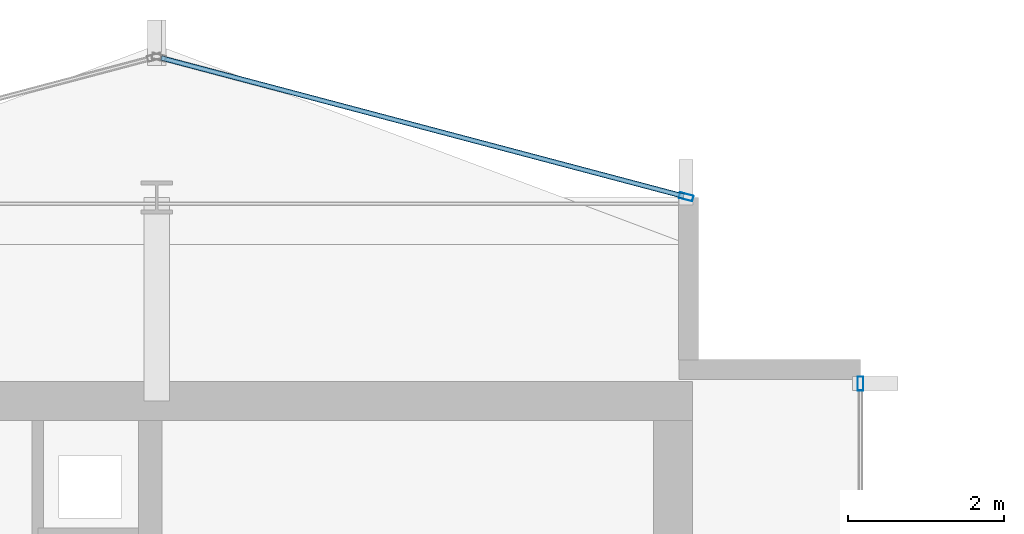
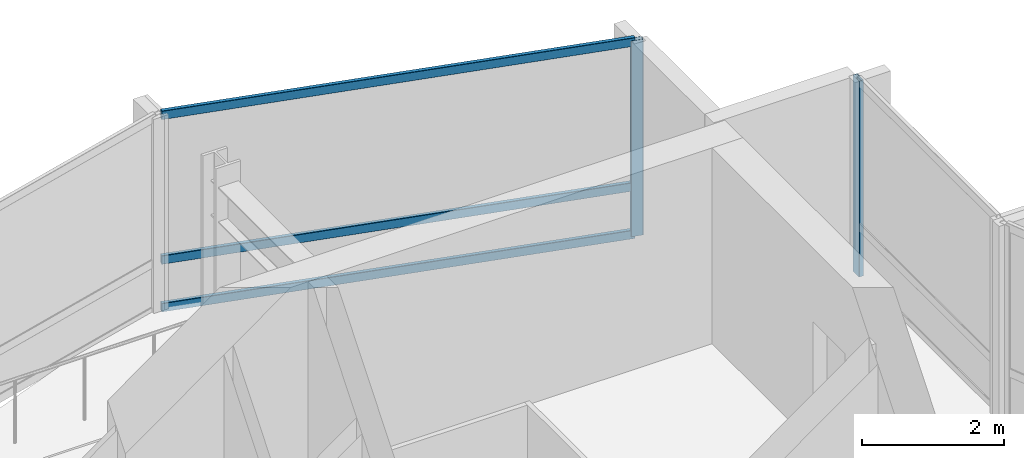
# One storey, part 18 of 27: 5 members, 2 elements without a shape of their own.
"""IFC4 building model written with IfcOpenShell, lengths in metres."""

from ifc_helpers import new_model, si_unit, direction, frame, origin, origin_2d, place, context, subcontext, project, spatial, hollow_rectangle, extrude, material, layer, layer_set, material_profile, profile_set, type_object, element, aggregate, save


model = new_model("IFC4")

# Units and contexts
model_context = context("Model", 3, precision=1e-05, world=origin(), true_north=direction((0.0, 1.0)))
body_context = subcontext(model_context, "Body", "Model", "MODEL_VIEW")
ifc_project = project(units=[si_unit("LENGTHUNIT", "METRE"), si_unit("AREAUNIT", "SQUARE_METRE"), si_unit("VOLUMEUNIT", "CUBIC_METRE"), si_unit("PLANEANGLEUNIT", "RADIAN"), si_unit("MASSUNIT", "GRAM", prefix="KILO")], contexts=[model_context])

# Site, building, storey
site_placement = place(None, origin())
site = spatial("IfcSite", under=ifc_project, at=site_placement, CompositionType="ELEMENT")
building_placement = place(site_placement, origin())
building = spatial("IfcBuilding", under=site, at=building_placement, Name="Solvaryn Broadcast Tower", CompositionType="ELEMENT")
storey_placement = place(building_placement, frame((0.0, 0.0, 192.699951171875)))
storey = spatial("IfcBuildingStorey", under=building, at=storey_placement, Name="L48", CompositionType="ELEMENT", Elevation=192.699951171875)

# Curtain wall, member
ifc_material_1 = material(Name="Aluminium and Terracotta Unitised Curtain Wall", Category="masonry")
ifc_layer = layer(ifc_material_1, 0.199951171875)
ifc_layer_set = layer_set([ifc_layer], Name="CW-SYS2-LOWMID")
curtain_wall_type = type_object("IfcCurtainWallType", Name="CW-SYS2-LOWMID", PredefinedType="NOTDEFINED", material=ifc_layer_set)
curtain_wall_1_placement = place(storey_placement, origin())
curtain_wall_1 = element("IfcCurtainWall", 1, at=curtain_wall_1_placement, inside=storey, type_object=curtain_wall_type, Name="L48 Curtain Wall IV", PredefinedType="NOTDEFINED")
ifc_material_2 = material(Name="Anodised Aluminium 6063-T6", Category="aluminium")
ifc_material_profile_1 = material_profile(ifc_material_2, hollow_rectangle(XDim=0.074951171875, YDim=0.179931640625, WallThickness=0.00390625, InnerFilletRadius=0.00390625, OuterFilletRadius=0.008056640625, at=origin_2d()))
ifc_profile_set_1 = profile_set([ifc_material_profile_1], Name="Anodised Aluminium 6063-T6")
member_type_1 = type_object("IfcMemberType", Name="CW-MUL-180", PredefinedType="MULLION", material=ifc_profile_set_1)
member_1_placement = place(storey_placement, frame((27.0, 42.6201171875, 0.0), z_axis=(0.0, 0.0, 1.0), x_axis=(1.0, 0.0, 0.0)))
member_1 = element("IfcMember", 2, at=member_1_placement, type_object=member_type_1, Name="CWS2 mullion 1", PredefinedType="MULLION", context=body_context, shape_type="SweptSolid", body=[
    extrude(hollow_rectangle(XDim=0.074951171875, YDim=0.179931640625, WallThickness=0.00390625, InnerFilletRadius=0.00390625, OuterFilletRadius=0.008056640625, at=origin_2d()), origin(), (0.0, 0.0, 1.0), 3.3701171875),
])
aggregate(curtain_wall_1, [member_1])

# Curtain wall, members
curtain_wall_2_placement = place(storey_placement, origin())
curtain_wall_2 = element("IfcCurtainWall", 3, at=curtain_wall_2_placement, inside=storey, type_object=curtain_wall_type, Name="L48 Curtain Wall NT1", PredefinedType="NOTDEFINED")
member_2_placement = place(storey_placement, frame((24.77099609375, 45.007568359375, 0.0), z_axis=(0.0, 0.0, 1.0), x_axis=(-0.25589256031, -0.966705227863, 0.0)))
member_2 = element("IfcMember", 4, at=member_2_placement, type_object=member_type_1, Name="CWS2 mullion 1", PredefinedType="MULLION", context=body_context, shape_type="SweptSolid", body=[
    extrude(hollow_rectangle(XDim=0.074951171875, YDim=0.179931640625, WallThickness=0.00390625, InnerFilletRadius=0.00390625, OuterFilletRadius=0.008056640625, at=origin_2d()), origin(), (0.0, 0.0, 1.0), 3.3701171875),
])
ifc_material_3 = material(Name="Anodised Aluminium 6063-T6", Category="aluminium")
ifc_material_profile_2 = material_profile(ifc_material_3, hollow_rectangle(XDim=0.06494140625, YDim=0.14990234375, WallThickness=0.00390625, InnerFilletRadius=0.00390625, OuterFilletRadius=0.008056640625, at=origin_2d()))
ifc_profile_set_2 = profile_set([ifc_material_profile_2], Name="Anodised Aluminium 6063-T6")
member_type_2 = type_object("IfcMemberType", Name="CW-TRN-150", PredefinedType="USERDEFINED", material=ifc_profile_set_2)
member_3_placement = place(storey_placement, frame((24.741943359375, 45.015380859375, 0.030029296875), z_axis=(-0.966703943301, 0.255897413051, 0.0), x_axis=(-0.255897413051, -0.966703943301, 0.0)))
member_3 = element("IfcMember", 5, at=member_3_placement, type_object=member_type_2, Name="CWS2 transom 1.1", ObjectType="TRANSOM", PredefinedType="USERDEFINED", context=body_context, shape_type="SweptSolid", body=[
    extrude(hollow_rectangle(XDim=0.06494140625, YDim=0.14990234375, WallThickness=0.00390625, InnerFilletRadius=0.00390625, OuterFilletRadius=0.008056640625, at=origin_2d()), origin(), (0.0, 0.0, 1.0), 6.9140625),
])
member_4_placement = place(storey_placement, frame((24.741943359375, 45.015380859375, 0.85009765625), z_axis=(-0.966703943301, 0.255897413051, 0.0), x_axis=(-0.255897413051, -0.966703943301, 0.0)))
member_4 = element("IfcMember", 6, at=member_4_placement, type_object=member_type_2, Name="CWS2 transom 1.2", ObjectType="TRANSOM", PredefinedType="USERDEFINED", context=body_context, shape_type="SweptSolid", body=[
    extrude(hollow_rectangle(XDim=0.06494140625, YDim=0.14990234375, WallThickness=0.00390625, InnerFilletRadius=0.00390625, OuterFilletRadius=0.008056640625, at=origin_2d()), origin(), (0.0, 0.0, 1.0), 6.9140625),
])
member_5_placement = place(storey_placement, frame((24.741943359375, 45.015380859375, 3.340087890625), z_axis=(-0.966703943301, 0.255897413051, 0.0), x_axis=(-0.255897413051, -0.966703943301, 0.0)))
member_5 = element("IfcMember", 7, at=member_5_placement, type_object=member_type_2, Name="CWS2 transom 1.3", ObjectType="TRANSOM", PredefinedType="USERDEFINED", context=body_context, shape_type="SweptSolid", body=[
    extrude(hollow_rectangle(XDim=0.06494140625, YDim=0.14990234375, WallThickness=0.00390625, InnerFilletRadius=0.00390625, OuterFilletRadius=0.008056640625, at=origin_2d()), origin(), (0.0, 0.0, 1.0), 6.9140625),
])
aggregate(curtain_wall_2, [member_2, member_3, member_4, member_5])

save(model, "model.ifc")
